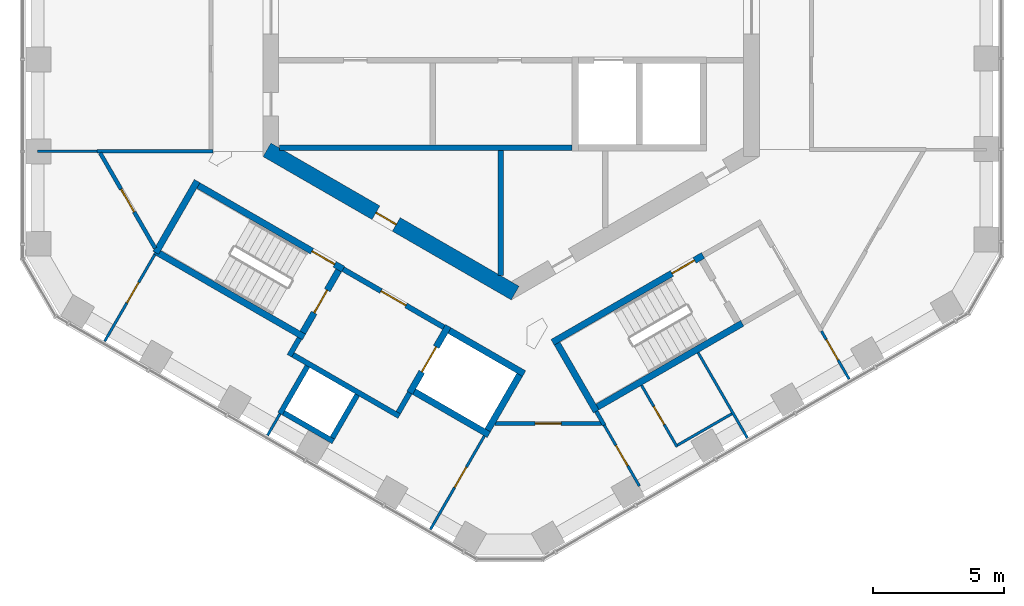
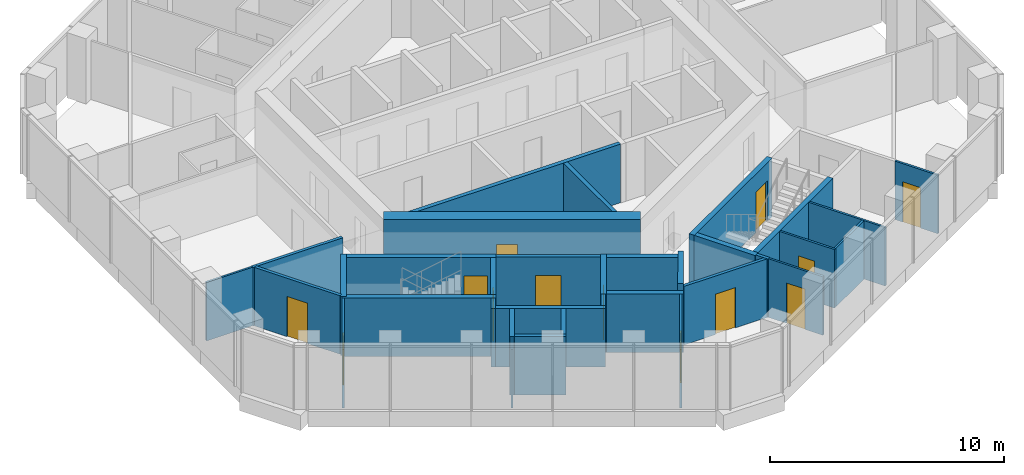
# One storey, part 14 of 19: 34 walls, 13 doors, 13 openings.
"""IFC4 building model written with IfcOpenShell, lengths in metres."""

from ifc_helpers import new_model, si_unit, direction, frame, frame_2d, origin, place, context, subcontext, project, spatial, rectangle, extrude, material, layer, layer_set, type_object, element, fill, save


model = new_model("IFC4")

# Units and contexts
model_context = context("Model", 3, precision=1e-05, world=origin(), true_north=direction((0.0, 1.0)))
body_context = subcontext(model_context, "Body", "Model", "MODEL_VIEW")
ifc_project = project(units=[si_unit("LENGTHUNIT", "METRE"), si_unit("AREAUNIT", "SQUARE_METRE"), si_unit("VOLUMEUNIT", "CUBIC_METRE"), si_unit("PLANEANGLEUNIT", "RADIAN"), si_unit("MASSUNIT", "GRAM", prefix="KILO")], contexts=[model_context])

# Site, building, storey
site_placement = place(None, origin())
site = spatial("IfcSite", under=ifc_project, at=site_placement, CompositionType="ELEMENT")
building_placement = place(site_placement, origin())
building = spatial("IfcBuilding", under=site, at=building_placement, Name="Ayvan Gate Tower", CompositionType="ELEMENT")
storey_placement = place(building_placement, frame((0.0, 0.0, 156.10009765625)))
storey = spatial("IfcBuildingStorey", under=building, at=storey_placement, Name="L41", CompositionType="ELEMENT", Elevation=156.10009765625)

# Wall, opening, door
ifc_material_1 = material(Name="Concrete C60/75", Category="concrete")
ifc_layer_1 = layer(ifc_material_1, 0.60009765625)
ifc_layer_set_1 = layer_set([ifc_layer_1], Name="Concrete C60/75")
wall_type_1 = type_object("IfcWallType", Name="Core wall 600 C60/75", PredefinedType="SHEAR", material=ifc_layer_set_1)
wall_1_placement = place(storey_placement, frame((-9.35009765625, -5.22509765625, 0.0), z_axis=(0.0, 0.0, 1.0), x_axis=(0.866023993627, -0.500002442456, 0.0)))
wall_1 = element("IfcWall", 1, at=wall_1_placement, inside=storey, type_object=wall_type_1, Name="CORE-L41-4", PredefinedType="SHEAR", context=body_context, shape_type="SweptSolid", body=[
    extrude(rectangle(XDim=10.9697265625, YDim=0.60009765625, at=frame_2d((5.48486328125, 0.0))), origin(), (0.0, 0.0, 1.0), 3.39990234375),
])
opening_1_placement = place(wall_1_placement, frame((4.81591796875, 0.0, 0.0)))
opening_1 = element("IfcOpeningElement", 2, at=opening_1_placement, cuts=wall_1, Name="Opening L41-D48", PredefinedType="OPENING", context=body_context, shape_type="SweptSolid", body=[
    extrude(rectangle(XDim=0.89990234375, YDim=2.10009765625, at=frame_2d((0.449951171875, 1.050048828125))), frame((0.0, 0.31005859375, 0.0), z_axis=(0.0, -1.0, 0.0), x_axis=(1.0, 0.0, 0.0)), (0.0, 0.0, 1.0), 0.6201171875),
])
ifc_material_2 = material(Name="Timber door leaf", Category="wood")
door_type_1 = type_object("IfcDoorType", Name="DT-900", OperationType="NOTDEFINED", PredefinedType="DOOR", material=ifc_material_2)
door_1_placement = place(opening_1_placement, origin())
door_1 = element("IfcDoor", 3, at=door_1_placement, inside=storey, type_object=door_type_1, Name="CD-L41-48", OperationType="SINGLE_SWING_LEFT", OverallHeight=2.10009765625, OverallWidth=0.89990234375, PredefinedType="DOOR", context=body_context, shape_type="SweptSolid", body=[
    extrude(rectangle(XDim=0.89990234375, YDim=2.10009765625, at=frame_2d((0.449951171875, 1.050048828125))), frame((0.0, 0.02490234375, 0.0), z_axis=(0.0, -1.0, 0.0), x_axis=(1.0, 0.0, 0.0)), (0.0, 0.0, 1.0), 0.050048828125),
])
fill(opening_1, door_1)

# Wall
ifc_material_3 = material(Name="Plasterboard on steel stud", Category="steel")
ifc_layer_2 = layer(ifc_material_3, 0.14990234375)
ifc_layer_set_2 = layer_set([ifc_layer_2], Name="Plasterboard on steel stud")
wall_type_2 = type_object("IfcWallType", Name="WT-CORR-150", PredefinedType="PARTITIONING", material=ifc_layer_set_2)
wall_2_placement = place(storey_placement, frame((-15.849365234375, -5.28125, 0.0), z_axis=(0.0, 0.0, 1.0), x_axis=(1.0, 0.0, 0.0)))
element("IfcWall", 4, at=wall_2_placement, inside=storey, type_object=wall_type_2, Name="IW-L41-000", PredefinedType="PARTITIONING", context=body_context, shape_type="SweptSolid", body=[
    extrude(rectangle(XDim=4.424560546875, YDim=0.14990234375, at=frame_2d((2.21240234375, 0.0))), origin(), (0.0, 0.0, 1.0), 3.0498046875),
])

# Wall, opening, door
wall_3_placement = place(storey_placement, frame((-13.631103515625, -8.993408203125, 0.0), z_axis=(0.0, 0.0, 1.0), x_axis=(-0.499998449073, 0.866026299211, 0.0)))
wall_3 = element("IfcWall", 5, at=wall_3_placement, inside=storey, type_object=wall_type_2, Name="IW-L41-009", PredefinedType="PARTITIONING", context=body_context, shape_type="SweptSolid", body=[
    extrude(rectangle(XDim=4.21142578125, YDim=0.14990234375, at=frame_2d((2.105712890625, 0.0))), origin(), (0.0, 0.0, 1.0), 3.0498046875),
])
opening_2_placement = place(wall_3_placement, frame((1.605712890625, 0.0, 0.0)))
opening_2 = element("IfcOpeningElement", 6, at=opening_2_placement, cuts=wall_3, Name="Opening L41-D31", PredefinedType="OPENING", context=body_context, shape_type="SweptSolid", body=[
    extrude(rectangle(XDim=1.0, YDim=2.10009765625, at=frame_2d((0.5, 1.050048828125))), frame((0.0, 0.0849609375, 0.0), z_axis=(0.0, -1.0, 0.0), x_axis=(1.0, 0.0, 0.0)), (0.0, 0.0, 1.0), 0.169921875),
])
door_type_2 = type_object("IfcDoorType", Name="DT-1000", OperationType="NOTDEFINED", PredefinedType="DOOR", material=ifc_material_2)
door_2_placement = place(opening_2_placement, origin())
door_2 = element("IfcDoor", 7, at=door_2_placement, inside=storey, type_object=door_type_2, Name="ID-L41-031", OperationType="SINGLE_SWING_RIGHT", OverallHeight=2.10009765625, OverallWidth=1.0, PredefinedType="DOOR", context=body_context, shape_type="SweptSolid", body=[
    extrude(rectangle(XDim=1.0, YDim=2.10009765625, at=frame_2d((0.5, 1.050048828125))), frame((0.0, 0.02490234375, 0.0), z_axis=(0.0, -1.0, 0.0), x_axis=(1.0, 0.0, 0.0)), (0.0, 0.0, 1.0), 0.050048828125),
])
fill(opening_2, door_2)

# Wall
wall_4_placement = place(storey_placement, frame((3.255615234375, -15.23876953125, 0.0), z_axis=(0.0, 0.0, 1.0), x_axis=(0.499930512259, -0.866065518833, 0.0)))
element("IfcWall", 8, at=wall_4_placement, inside=storey, type_object=wall_type_2, Name="IW-L41-064", PredefinedType="PARTITIONING", context=body_context, shape_type="SweptSolid", body=[
    extrude(rectangle(XDim=0.609375, YDim=0.14990234375, at=frame_2d((0.3046875, 0.0))), origin(), (0.0, 0.0, 1.0), 3.0498046875),
])

# Wall, opening, door
wall_5_placement = place(storey_placement, frame((3.44775390625, -15.70166015625, 0.0), z_axis=(0.0, 0.0, 1.0), x_axis=(-1.0, 0.0, 0.0)))
wall_5 = element("IfcWall", 9, at=wall_5_placement, inside=storey, type_object=wall_type_2, Name="IW-L41-066", PredefinedType="PARTITIONING", context=body_context, shape_type="SweptSolid", body=[
    extrude(rectangle(XDim=4.07421875, YDim=0.14990234375, at=frame_2d((2.037109375, 0.0))), origin(), (0.0, 0.0, 1.0), 3.0498046875),
])
opening_3_placement = place(wall_5_placement, frame((1.537109375, 0.0, 0.0)))
opening_3 = element("IfcOpeningElement", 10, at=opening_3_placement, cuts=wall_5, Name="Opening L41-D33", PredefinedType="OPENING", context=body_context, shape_type="SweptSolid", body=[
    extrude(rectangle(XDim=1.0, YDim=2.10009765625, at=frame_2d((0.5, 1.050048828125))), frame((0.0, 0.0849609375, 0.0), z_axis=(0.0, -1.0, 0.0), x_axis=(1.0, 0.0, 0.0)), (0.0, 0.0, 1.0), 0.169921875),
])
door_3_placement = place(opening_3_placement, origin())
door_3 = element("IfcDoor", 11, at=door_3_placement, inside=storey, type_object=door_type_2, Name="ID-L41-033", OperationType="SINGLE_SWING_RIGHT", OverallHeight=2.10009765625, OverallWidth=1.0, PredefinedType="DOOR", context=body_context, shape_type="SweptSolid", body=[
    extrude(rectangle(XDim=1.0, YDim=2.10009765625, at=frame_2d((0.5, 1.050048828125))), frame((0.0, 0.02490234375, 0.0), z_axis=(0.0, -1.0, 0.0), x_axis=(1.0, 0.0, 0.0)), (0.0, 0.0, 1.0), 0.050048828125),
])
fill(opening_3, door_3)

# Wall
ifc_layer_3 = layer(ifc_material_3, 0.10009765625)
ifc_layer_set_3 = layer_set([ifc_layer_3], Name="Plasterboard on steel stud")
wall_type_3 = type_object("IfcWallType", Name="WT-PART-100", PredefinedType="PARTITIONING", material=ifc_layer_set_3)
wall_6_placement = place(storey_placement, frame((-15.84912109375, -5.28125, 0.0), z_axis=(0.0, 0.0, 1.0), x_axis=(-1.0, 0.0, 0.0)))
element("IfcWall", 12, at=wall_6_placement, inside=storey, type_object=wall_type_3, Name="IW-L41-003", PredefinedType="PARTITIONING", context=body_context, shape_type="SweptSolid", body=[
    extrude(rectangle(XDim=2.278076171875, YDim=0.10009765625, at=frame_2d((1.13916015625, 0.0))), origin(), (0.0, 0.0, 1.0), 3.0498046875),
])

# Wall, opening, door
wall_7_placement = place(storey_placement, frame((-13.647705078125, -9.23876953125, 0.0), z_axis=(0.0, 0.0, 1.0), x_axis=(-0.500044099915, -0.86599994119, 0.0)))
wall_7 = element("IfcWall", 13, at=wall_7_placement, inside=storey, type_object=wall_type_3, Name="IW-L41-007", PredefinedType="PARTITIONING", context=body_context, shape_type="SweptSolid", body=[
    extrude(rectangle(XDim=3.832763671875, YDim=0.10009765625, at=frame_2d((1.91650390625, 0.0))), origin(), (0.0, 0.0, 1.0), 3.0498046875),
])
opening_4_placement = place(wall_7_placement, frame((1.230712890625, 0.0, 0.0)))
opening_4 = element("IfcOpeningElement", 14, at=opening_4_placement, cuts=wall_7, Name="Opening L41-D32", PredefinedType="OPENING", context=body_context, shape_type="SweptSolid", body=[
    extrude(rectangle(XDim=0.89990234375, YDim=2.10009765625, at=frame_2d((0.449951171875, 1.050048828125))), frame((0.0, 0.06005859375, 0.0), z_axis=(0.0, -1.0, 0.0), x_axis=(1.0, 0.0, 0.0)), (0.0, 0.0, 1.0), 0.1201171875),
])
door_4_placement = place(opening_4_placement, origin())
door_4 = element("IfcDoor", 15, at=door_4_placement, inside=storey, type_object=door_type_1, Name="ID-L41-032", OperationType="SINGLE_SWING_LEFT", OverallHeight=2.10009765625, OverallWidth=0.89990234375, PredefinedType="DOOR", context=body_context, shape_type="SweptSolid", body=[
    extrude(rectangle(XDim=0.89990234375, YDim=2.10009765625, at=frame_2d((0.449951171875, 1.050048828125))), frame((0.0, 0.02490234375, 0.0), z_axis=(0.0, -1.0, 0.0), x_axis=(1.0, 0.0, 0.0)), (0.0, 0.0, 1.0), 0.050048828125),
])
fill(opening_4, door_4)

# Wall
wall_8_placement = place(storey_placement, frame((-9.328857421875, -16.157958984375, 0.0), z_axis=(0.0, 0.0, 1.0), x_axis=(0.499950501706, 0.866053979752, 0.0)))
element("IfcWall", 16, at=wall_8_placement, inside=storey, type_object=wall_type_3, Name="IW-L41-024", PredefinedType="PARTITIONING", context=body_context, shape_type="SweptSolid", body=[
    extrude(rectangle(XDim=0.95751953125, YDim=0.10009765625, at=frame_2d((0.478759765625, 0.0))), origin(), (0.0, 0.0, 1.0), 3.0498046875),
])

# Wall, opening, door
wall_9_placement = place(storey_placement, frame((-3.093505859375, -19.7578125, 0.0), z_axis=(0.0, 0.0, 1.0), x_axis=(0.500027577057, 0.866009481578, 0.0)))
wall_9 = element("IfcWall", 17, at=wall_9_placement, inside=storey, type_object=wall_type_3, Name="IW-L41-043", PredefinedType="PARTITIONING", context=body_context, shape_type="SweptSolid", body=[
    extrude(rectangle(XDim=4.132568359375, YDim=0.10009765625, at=frame_2d((2.06640625, 0.0))), origin(), (0.0, 0.0, 1.0), 3.0498046875),
])
opening_5_placement = place(wall_9_placement, frame((1.851806640625, 0.0, 0.0)))
opening_5 = element("IfcOpeningElement", 18, at=opening_5_placement, cuts=wall_9, Name="Opening L41-D34", PredefinedType="OPENING", context=body_context, shape_type="SweptSolid", body=[
    extrude(rectangle(XDim=0.89990234375, YDim=2.10009765625, at=frame_2d((0.449951171875, 1.050048828125))), frame((0.0, 0.06005859375, 0.0), z_axis=(0.0, -1.0, 0.0), x_axis=(1.0, 0.0, 0.0)), (0.0, 0.0, 1.0), 0.1201171875),
])
door_5_placement = place(opening_5_placement, origin())
door_5 = element("IfcDoor", 19, at=door_5_placement, inside=storey, type_object=door_type_1, Name="ID-L41-034", OperationType="SINGLE_SWING_LEFT", OverallHeight=2.10009765625, OverallWidth=0.89990234375, PredefinedType="DOOR", context=body_context, shape_type="SweptSolid", body=[
    extrude(rectangle(XDim=0.89990234375, YDim=2.10009765625, at=frame_2d((0.449951171875, 1.050048828125))), frame((0.0, 0.02490234375, 0.0), z_axis=(0.0, -1.0, 0.0), x_axis=(1.0, 0.0, 0.0)), (0.0, 0.0, 1.0), 0.050048828125),
])
fill(opening_5, door_5)

wall_10_placement = place(storey_placement, frame((3.560302734375, -15.7666015625, 0.0), z_axis=(0.0, 0.0, 1.0), x_axis=(0.500010215181, -0.866019505967, 0.0)))
wall_10 = element("IfcWall", 20, at=wall_10_placement, inside=storey, type_object=wall_type_3, Name="IW-L41-067", PredefinedType="PARTITIONING", context=body_context, shape_type="SweptSolid", body=[
    extrude(rectangle(XDim=2.69287109375, YDim=0.10009765625, at=frame_2d((1.346435546875, 0.0))), origin(), (0.0, 0.0, 1.0), 3.0498046875),
])
opening_6_placement = place(wall_10_placement, frame((0.896484375, 0.0, 0.0)))
opening_6 = element("IfcOpeningElement", 21, at=opening_6_placement, cuts=wall_10, Name="Opening L41-D35", PredefinedType="OPENING", context=body_context, shape_type="SweptSolid", body=[
    extrude(rectangle(XDim=0.89990234375, YDim=2.10009765625, at=frame_2d((0.449951171875, 1.050048828125))), frame((0.0, 0.06005859375, 0.0), z_axis=(0.0, -1.0, 0.0), x_axis=(1.0, 0.0, 0.0)), (0.0, 0.0, 1.0), 0.1201171875),
])
door_6_placement = place(opening_6_placement, origin())
door_6 = element("IfcDoor", 22, at=door_6_placement, inside=storey, type_object=door_type_1, Name="ID-L41-035", OperationType="SINGLE_SWING_RIGHT", OverallHeight=2.10009765625, OverallWidth=0.89990234375, PredefinedType="DOOR", context=body_context, shape_type="SweptSolid", body=[
    extrude(rectangle(XDim=0.89990234375, YDim=2.10009765625, at=frame_2d((0.449951171875, 1.050048828125))), frame((0.0, 0.02490234375, 0.0), z_axis=(0.0, -1.0, 0.0), x_axis=(1.0, 0.0, 0.0)), (0.0, 0.0, 1.0), 0.050048828125),
])
fill(opening_6, door_6)

wall_11_placement = place(storey_placement, frame((4.987548828125, -14.23876953125, 0.0), z_axis=(0.0, 0.0, 1.0), x_axis=(0.500022328685, -0.866012511928, 0.0)))
wall_11 = element("IfcWall", 23, at=wall_11_placement, inside=storey, type_object=wall_type_3, Name="IW-L41-076", PredefinedType="PARTITIONING", context=body_context, shape_type="SweptSolid", body=[
    extrude(rectangle(XDim=2.72509765625, YDim=0.10009765625, at=frame_2d((1.362548828125, 0.0))), origin(), (0.0, 0.0, 1.0), 3.0498046875),
])
opening_7_placement = place(wall_11_placement, frame((0.9375, 0.0, 0.0)))
opening_7 = element("IfcOpeningElement", 24, at=opening_7_placement, cuts=wall_11, Name="Opening L41-D36", PredefinedType="OPENING", context=body_context, shape_type="SweptSolid", body=[
    extrude(rectangle(XDim=0.800048828125, YDim=2.10009765625, at=frame_2d((0.39990234375, 1.050048828125))), frame((0.0, 0.06005859375, 0.0), z_axis=(0.0, -1.0, 0.0), x_axis=(1.0, 0.0, 0.0)), (0.0, 0.0, 1.0), 0.1201171875),
])
door_type_3 = type_object("IfcDoorType", Name="DT-800", OperationType="NOTDEFINED", PredefinedType="DOOR", material=ifc_material_2)
door_7_placement = place(opening_7_placement, origin())
door_7 = element("IfcDoor", 25, at=door_7_placement, inside=storey, type_object=door_type_3, Name="ID-L41-036", OperationType="SINGLE_SWING_LEFT", OverallHeight=2.10009765625, OverallWidth=0.800048828125, PredefinedType="DOOR", context=body_context, shape_type="SweptSolid", body=[
    extrude(rectangle(XDim=0.800048828125, YDim=2.10009765625, at=frame_2d((0.39990234375, 1.050048828125))), frame((0.0, 0.02490234375, 0.0), z_axis=(0.0, -1.0, 0.0), x_axis=(1.0, 0.0, 0.0)), (0.0, 0.0, 1.0), 0.050048828125),
])
fill(opening_7, door_7)

# Walls
wall_12_placement = place(storey_placement, frame((6.368408203125, -16.530517578125, 0.0), z_axis=(0.0, 0.0, 1.0), x_axis=(0.866006032174, 0.500033551112, 0.0)))
element("IfcWall", 26, at=wall_12_placement, inside=storey, type_object=wall_type_3, Name="IW-L41-078", PredefinedType="PARTITIONING", context=body_context, shape_type="SweptSolid", body=[
    extrude(rectangle(XDim=2.400146484375, YDim=0.10009765625, at=frame_2d((1.2001953125, 0.0))), origin(), (0.0, 0.0, 1.0), 3.0498046875),
])
wall_13_placement = place(storey_placement, frame((7.152587890625, -12.98876953125, 0.0), z_axis=(0.0, 0.0, 1.0), x_axis=(0.500008086624, -0.86602073492, 0.0)))
element("IfcWall", 27, at=wall_13_placement, inside=storey, type_object=wall_type_3, Name="IW-L41-081", PredefinedType="PARTITIONING", context=body_context, shape_type="SweptSolid", body=[
    extrude(rectangle(XDim=3.7734375, YDim=0.10009765625, at=frame_2d((1.88671875, 0.0))), origin(), (0.0, 0.0, 1.0), 3.0498046875),
])

# Wall, opening, door
wall_14_placement = place(storey_placement, frame((12.936279296875, -14.006591796875, 0.0), z_axis=(0.0, 0.0, 1.0), x_axis=(-0.499957859296, 0.866049732364, 0.0)))
wall_14 = element("IfcWall", 28, at=wall_14_placement, inside=storey, type_object=wall_type_3, Name="IW-L41-098", PredefinedType="PARTITIONING", context=body_context, shape_type="SweptSolid", body=[
    extrude(rectangle(XDim=2.124755859375, YDim=0.10009765625, at=frame_2d((1.0625, 0.0))), origin(), (0.0, 0.0, 1.0), 3.0498046875),
])
opening_8_placement = place(wall_14_placement, frame((0.847900390625, 0.0, 0.0)))
opening_8 = element("IfcOpeningElement", 29, at=opening_8_placement, cuts=wall_14, Name="Opening L41-D38", PredefinedType="OPENING", context=body_context, shape_type="SweptSolid", body=[
    extrude(rectangle(XDim=0.89990234375, YDim=2.10009765625, at=frame_2d((0.449951171875, 1.050048828125))), frame((0.0, 0.06005859375, 0.0), z_axis=(0.0, -1.0, 0.0), x_axis=(1.0, 0.0, 0.0)), (0.0, 0.0, 1.0), 0.1201171875),
])
door_8_placement = place(opening_8_placement, origin())
door_8 = element("IfcDoor", 30, at=door_8_placement, inside=storey, type_object=door_type_1, Name="ID-L41-038", OperationType="SINGLE_SWING_LEFT", OverallHeight=2.10009765625, OverallWidth=0.89990234375, PredefinedType="DOOR", context=body_context, shape_type="SweptSolid", body=[
    extrude(rectangle(XDim=0.89990234375, YDim=2.10009765625, at=frame_2d((0.449951171875, 1.050048828125))), frame((0.0, 0.02490234375, 0.0), z_axis=(0.0, -1.0, 0.0), x_axis=(1.0, 0.0, 0.0)), (0.0, 0.0, 1.0), 0.050048828125),
])
fill(opening_8, door_8)

# Walls
ifc_layer_4 = layer(ifc_material_3, 0.199951171875)
ifc_layer_set_4 = layer_set([ifc_layer_4], Name="Plasterboard on steel stud")
wall_type_4 = type_object("IfcWallType", Name="WT-PLUMB-200", PredefinedType="PLUMBINGWALL", material=ifc_layer_set_4)
wall_15_placement = place(storey_placement, frame((-8.85009765625, -15.32861328125, 0.0), z_axis=(0.0, 0.0, 1.0), x_axis=(0.500027713859, 0.866009402589, 0.0)))
element("IfcWall", 31, at=wall_15_placement, inside=storey, type_object=wall_type_4, Name="IW-L41-019", PredefinedType="PLUMBINGWALL", context=body_context, shape_type="SweptSolid", body=[
    extrude(rectangle(XDim=2.10009765625, YDim=0.199951171875, at=frame_2d((1.050048828125, 0.0))), origin(), (0.0, 0.0, 1.0), 3.0498046875),
])
wall_16_placement = place(storey_placement, frame((-6.80810546875, -16.39208984375, 0.0), z_axis=(0.0, 0.0, 1.0), x_axis=(-0.866008176907, 0.50002983664, 0.0)))
element("IfcWall", 32, at=wall_16_placement, inside=storey, type_object=wall_type_4, Name="IW-L41-029", PredefinedType="PLUMBINGWALL", context=body_context, shape_type="SweptSolid", body=[
    extrude(rectangle(XDim=2.199951171875, YDim=0.199951171875, at=frame_2d((1.10009765625, 0.0))), origin(), (0.0, 0.0, 1.0), 3.0498046875),
])
wall_17_placement = place(storey_placement, frame((-5.894775390625, -14.610107421875, 0.0), z_axis=(0.0, 0.0, 1.0), x_axis=(-0.500022797313, -0.86601224135, 0.0)))
element("IfcWall", 33, at=wall_17_placement, inside=storey, type_object=wall_type_4, Name="IW-L41-033", PredefinedType="PLUMBINGWALL", context=body_context, shape_type="SweptSolid", body=[
    extrude(rectangle(XDim=1.89990234375, YDim=0.199951171875, at=frame_2d((0.949951171875, 0.0))), origin(), (0.0, 0.0, 1.0), 3.0498046875),
])
ifc_layer_5 = layer(ifc_material_3, 0.199951171875)
ifc_layer_set_5 = layer_set([ifc_layer_5], Name="Plasterboard on steel stud")
wall_type_5 = type_object("IfcWallType", Name="WT-RATED-200", PredefinedType="PARTITIONING", material=ifc_layer_set_5)
wall_18_placement = place(storey_placement, frame((-8.8798828125, -5.14990234375, 0.0), z_axis=(0.0, 0.0, 1.0), x_axis=(1.0, 0.0, 0.0)))
element("IfcWall", 34, at=wall_18_placement, inside=storey, type_object=wall_type_5, Name="IW-L41-018", PredefinedType="PARTITIONING", context=body_context, shape_type="SweptSolid", body=[
    extrude(rectangle(XDim=11.205078125, YDim=0.199951171875, at=frame_2d((5.6025390625, 0.0))), origin(), (0.0, 0.0, 1.0), 3.0498046875),
])
wall_19_placement = place(storey_placement, frame((-8.492919921875, -13.110107421875, 0.0), z_axis=(0.0, 0.0, 1.0), x_axis=(0.500067724834, 0.865986299303, 0.0)))
element("IfcWall", 35, at=wall_19_placement, inside=storey, type_object=wall_type_5, Name="IW-L41-020", PredefinedType="PARTITIONING", context=body_context, shape_type="SweptSolid", body=[
    extrude(rectangle(XDim=0.775390625, YDim=0.199951171875, at=frame_2d((0.3876953125, 0.0))), origin(), (0.0, 0.0, 1.0), 3.0498046875),
])
wall_20_placement = place(storey_placement, frame((-8.356201171875, -13.073486328125, 0.0), z_axis=(0.0, 0.0, 1.0), x_axis=(0.866038532462, -0.499977259774, 0.0)))
element("IfcWall", 36, at=wall_20_placement, inside=storey, type_object=wall_type_5, Name="IW-L41-025", PredefinedType="PARTITIONING", context=body_context, shape_type="SweptSolid", body=[
    extrude(rectangle(XDim=4.699951171875, YDim=0.199951171875, at=frame_2d((2.35009765625, 0.0))), origin(), (0.0, 0.0, 1.0), 3.0498046875),
])

# Wall, opening, door
wall_21_placement = place(storey_placement, frame((-6.4345703125, -9.794921875, 0.0), z_axis=(0.0, 0.0, 1.0), x_axis=(0.866012907634, -0.500021643343, 0.0)))
wall_21 = element("IfcWall", 37, at=wall_21_placement, inside=storey, type_object=wall_type_5, Name="IW-L41-032", PredefinedType="PARTITIONING", context=body_context, shape_type="SweptSolid", body=[
    extrude(rectangle(XDim=4.449951171875, YDim=0.199951171875, at=frame_2d((2.22509765625, 0.0))), origin(), (0.0, 0.0, 1.0), 3.0498046875),
])
opening_9_placement = place(wall_21_placement, frame((1.675048828125, 0.0, 0.0)))
opening_9 = element("IfcOpeningElement", 38, at=opening_9_placement, cuts=wall_21, Name="Opening L41-D16", PredefinedType="OPENING", context=body_context, shape_type="SweptSolid", body=[
    extrude(rectangle(XDim=1.10009765625, YDim=2.10009765625, at=frame_2d((0.550048828125, 1.050048828125))), frame((0.0, 0.10986328125, 0.0), z_axis=(0.0, -1.0, 0.0), x_axis=(1.0, 0.0, 0.0)), (0.0, 0.0, 1.0), 0.219970703125),
])
door_type_4 = type_object("IfcDoorType", Name="DT-1100", OperationType="NOTDEFINED", PredefinedType="DOOR", material=ifc_material_2)
door_9_placement = place(opening_9_placement, origin())
door_9 = element("IfcDoor", 39, at=door_9_placement, inside=storey, type_object=door_type_4, Name="ID-L41-016", OperationType="SINGLE_SWING_LEFT", OverallHeight=2.10009765625, OverallWidth=1.10009765625, PredefinedType="DOOR", context=body_context, shape_type="SweptSolid", body=[
    extrude(rectangle(XDim=1.10009765625, YDim=2.10009765625, at=frame_2d((0.550048828125, 1.050048828125))), frame((0.0, 0.02490234375, 0.0), z_axis=(0.0, -1.0, 0.0), x_axis=(1.0, 0.0, 0.0)), (0.0, 0.0, 1.0), 0.050048828125),
])
fill(opening_9, door_9)

# Walls
wall_22_placement = place(storey_placement, frame((-3.885009765625, -14.52880859375, 0.0), z_axis=(0.0, 0.0, 1.0), x_axis=(-0.499859285417, -0.866106630146, 0.0)))
element("IfcWall", 40, at=wall_22_placement, inside=storey, type_object=wall_type_5, Name="IW-L41-037", PredefinedType="PARTITIONING", context=body_context, shape_type="SweptSolid", body=[
    extrude(rectangle(XDim=0.875244140625, YDim=0.199951171875, at=frame_2d((0.4375, 0.0))), origin(), (0.0, 0.0, 1.0), 3.0498046875),
])
wall_23_placement = place(storey_placement, frame((-0.39990234375, -5.25, 0.0), z_axis=(0.0, 0.0, 1.0), x_axis=(0.0, -1.0, 0.0)))
element("IfcWall", 41, at=wall_23_placement, inside=storey, type_object=wall_type_5, Name="IW-L41-052", PredefinedType="PARTITIONING", context=body_context, shape_type="SweptSolid", body=[
    extrude(rectangle(XDim=4.7958984375, YDim=0.199951171875, at=frame_2d((2.39794921875, 0.0))), origin(), (0.0, 0.0, 1.0), 3.0498046875),
])
ifc_material_4 = material(Name="Concrete C50/60", Category="concrete")
ifc_layer_6 = layer(ifc_material_4, 0.25)
ifc_layer_set_6 = layer_set([ifc_layer_6], Name="Concrete C50/60")
wall_type_6 = type_object("IfcWallType", Name="WT-RC-250", PredefinedType="SHEAR", material=ifc_layer_set_6)
wall_24_placement = place(storey_placement, frame((-13.606201171875, -9.166748046875, 0.0), z_axis=(0.0, 0.0, 1.0), x_axis=(0.499978282948, 0.866037941767, 0.0)))
element("IfcWall", 42, at=wall_24_placement, inside=storey, type_object=wall_type_6, Name="IW-L41-008", PredefinedType="SHEAR", context=body_context, shape_type="SweptSolid", body=[
    extrude(rectangle(XDim=3.166748046875, YDim=0.25, at=frame_2d((1.58349609375, 0.0))), origin(), (0.0, 0.0, 1.0), 3.0498046875),
])

# Wall, opening, door
wall_25_placement = place(storey_placement, frame((-11.97705078125, -6.594970703125, 0.0), z_axis=(0.0, 0.0, 1.0), x_axis=(0.866025499775, -0.499999833739, 0.0)))
wall_25 = element("IfcWall", 43, at=wall_25_placement, inside=storey, type_object=wall_type_6, Name="IW-L41-011", PredefinedType="SHEAR", context=body_context, shape_type="SweptSolid", body=[
    extrude(rectangle(XDim=6.39990234375, YDim=0.25, at=frame_2d((3.199951171875, 0.0))), origin(), (0.0, 0.0, 1.0), 3.0498046875),
])
opening_10_placement = place(wall_25_placement, frame((5.02490234375, 0.0, 0.0)))
opening_10 = element("IfcOpeningElement", 44, at=opening_10_placement, cuts=wall_25, Name="Opening L41-D14", PredefinedType="OPENING", context=body_context, shape_type="SweptSolid", body=[
    extrude(rectangle(XDim=1.0, YDim=2.10009765625, at=frame_2d((0.5, 1.050048828125))), frame((0.0, 0.135009765625, 0.0), z_axis=(0.0, -1.0, 0.0), x_axis=(1.0, 0.0, 0.0)), (0.0, 0.0, 1.0), 0.27001953125),
])
door_10_placement = place(opening_10_placement, origin())
door_10 = element("IfcDoor", 45, at=door_10_placement, inside=storey, type_object=door_type_2, Name="ID-L41-014", OperationType="SINGLE_SWING_LEFT", OverallHeight=2.10009765625, OverallWidth=1.0, PredefinedType="DOOR", context=body_context, shape_type="SweptSolid", body=[
    extrude(rectangle(XDim=1.0, YDim=2.10009765625, at=frame_2d((0.5, 1.050048828125))), frame((0.0, 0.02490234375, 0.0), z_axis=(0.0, -1.0, 0.0), x_axis=(1.0, 0.0, 0.0)), (0.0, 0.0, 1.0), 0.050048828125),
])
fill(opening_10, door_10)

# Wall
wall_26_placement = place(storey_placement, frame((-7.9345703125, -12.39306640625, 0.0), z_axis=(0.0, 0.0, 1.0), x_axis=(-0.866034091436, 0.499984952244, 0.0)))
element("IfcWall", 46, at=wall_26_placement, inside=storey, type_object=wall_type_6, Name="IW-L41-023", PredefinedType="SHEAR", context=body_context, shape_type="SweptSolid", body=[
    extrude(rectangle(XDim=6.574951171875, YDim=0.25, at=frame_2d((3.28759765625, 0.0))), origin(), (0.0, 0.0, 1.0), 3.0498046875),
])

# Wall, opening, door
wall_27_placement = place(storey_placement, frame((-6.605224609375, -9.8408203125, 0.0), z_axis=(0.0, 0.0, 1.0), x_axis=(-0.499996545922, -0.866027397988, 0.0)))
wall_27 = element("IfcWall", 47, at=wall_27_placement, inside=storey, type_object=wall_type_6, Name="IW-L41-031", PredefinedType="SHEAR", context=body_context, shape_type="SweptSolid", body=[
    extrude(rectangle(XDim=2.75, YDim=0.25, at=frame_2d((1.375, 0.0))), origin(), (0.0, 0.0, 1.0), 3.0498046875),
])
opening_11_placement = place(wall_27_placement, frame((0.875, 0.0, 0.0)))
opening_11 = element("IfcOpeningElement", 48, at=opening_11_placement, cuts=wall_27, Name="Opening L41-D15", PredefinedType="OPENING", context=body_context, shape_type="SweptSolid", body=[
    extrude(rectangle(XDim=1.0, YDim=2.10009765625, at=frame_2d((0.5, 1.050048828125))), frame((0.0, 0.135009765625, 0.0), z_axis=(0.0, -1.0, 0.0), x_axis=(1.0, 0.0, 0.0)), (0.0, 0.0, 1.0), 0.27001953125),
])
door_11_placement = place(opening_11_placement, origin())
door_11 = element("IfcDoor", 49, at=door_11_placement, inside=storey, type_object=door_type_2, Name="ID-L41-015", OperationType="SINGLE_SWING_RIGHT", OverallHeight=2.10009765625, OverallWidth=1.0, PredefinedType="DOOR", context=body_context, shape_type="SweptSolid", body=[
    extrude(rectangle(XDim=1.0, YDim=2.10009765625, at=frame_2d((0.5, 1.050048828125))), frame((0.0, 0.02490234375, 0.0), z_axis=(0.0, -1.0, 0.0), x_axis=(1.0, 0.0, 0.0)), (0.0, 0.0, 1.0), 0.050048828125),
])
fill(opening_11, door_11)

wall_28_placement = place(storey_placement, frame((-2.409912109375, -11.97412109375, 0.0), z_axis=(0.0, 0.0, 1.0), x_axis=(-0.500001826776, -0.866024349092, 0.0)))
wall_28 = element("IfcWall", 50, at=wall_28_placement, inside=storey, type_object=wall_type_6, Name="IW-L41-044", PredefinedType="SHEAR", context=body_context, shape_type="SweptSolid", body=[
    extrude(rectangle(XDim=2.9501953125, YDim=0.25, at=frame_2d((1.47509765625, 0.0))), origin(), (0.0, 0.0, 1.0), 3.0498046875),
])
opening_12_placement = place(wall_28_placement, frame((0.925048828125, 0.0, 0.0)))
opening_12 = element("IfcOpeningElement", 51, at=opening_12_placement, cuts=wall_28, Name="Opening L41-LD-FF2", PredefinedType="OPENING", context=body_context, shape_type="SweptSolid", body=[
    extrude(rectangle(XDim=1.10009765625, YDim=2.10009765625, at=frame_2d((0.550048828125, 1.050048828125))), frame((0.0, 0.135009765625, 0.0), z_axis=(0.0, -1.0, 0.0), x_axis=(1.0, 0.0, 0.0)), (0.0, 0.0, 1.0), 0.27001953125),
])
ifc_material_5 = material(Name="Stainless steel landing door", Category="steel")
door_type_5 = type_object("IfcDoorType", Name="DT-LANDING-1100", OperationType="SLIDING_TO_LEFT", PredefinedType="DOOR", material=ifc_material_5)
door_12_placement = place(opening_12_placement, origin())
door_12 = element("IfcDoor", 52, at=door_12_placement, inside=storey, type_object=door_type_5, Name="ID-L41-017", OperationType="SLIDING_TO_LEFT", OverallHeight=2.10009765625, OverallWidth=1.10009765625, PredefinedType="DOOR", context=body_context, shape_type="SweptSolid", body=[
    extrude(rectangle(XDim=1.10009765625, YDim=2.10009765625, at=frame_2d((0.550048828125, 1.050048828125))), frame((0.0, 0.02490234375, 0.0), z_axis=(0.0, -1.0, 0.0), x_axis=(1.0, 0.0, 0.0)), (0.0, 0.0, 1.0), 0.050048828125),
])
fill(opening_12, door_12)

# Walls
wall_29_placement = place(storey_placement, frame((-2.3642578125, -12.14501953125, 0.0), z_axis=(0.0, 0.0, 1.0), x_axis=(0.866040211805, -0.499974350878, 0.0)))
element("IfcWall", 53, at=wall_29_placement, inside=storey, type_object=wall_type_6, Name="IW-L41-045", PredefinedType="SHEAR", context=body_context, shape_type="SweptSolid", body=[
    extrude(rectangle(XDim=3.300048828125, YDim=0.25, at=frame_2d((1.64990234375, 0.0))), origin(), (0.0, 0.0, 1.0), 3.0498046875),
])
wall_30_placement = place(storey_placement, frame((-0.8564453125, -16.13330078125, 0.0), z_axis=(0.0, 0.0, 1.0), x_axis=(-0.866021716278, 0.500006386895, 0.0)))
element("IfcWall", 54, at=wall_30_placement, inside=storey, type_object=wall_type_6, Name="IW-L41-050", PredefinedType="SHEAR", context=body_context, shape_type="SweptSolid", body=[
    extrude(rectangle(XDim=3.2998046875, YDim=0.25, at=frame_2d((1.64990234375, 0.0))), origin(), (0.0, 0.0, 1.0), 3.0498046875),
])
wall_31_placement = place(storey_placement, frame((-0.902099609375, -15.96240234375, 0.0), z_axis=(0.0, 0.0, 1.0), x_axis=(0.500061746146, 0.865989751695, 0.0)))
element("IfcWall", 55, at=wall_31_placement, inside=storey, type_object=wall_type_6, Name="IW-L41-051", PredefinedType="SHEAR", context=body_context, shape_type="SweptSolid", body=[
    extrude(rectangle(XDim=2.449951171875, YDim=0.25, at=frame_2d((1.22509765625, 0.0))), origin(), (0.0, 0.0, 1.0), 3.39990234375),
])

# Wall, opening, door
wall_32_placement = place(storey_placement, frame((1.584716796875, -12.594970703125, 0.0), z_axis=(0.0, 0.0, 1.0), x_axis=(0.866036417653, 0.499980922934, 0.0)))
wall_32 = element("IfcWall", 56, at=wall_32_placement, inside=storey, type_object=wall_type_6, Name="IW-L41-058", PredefinedType="SHEAR", context=body_context, shape_type="SweptSolid", body=[
    extrude(rectangle(XDim=6.650146484375, YDim=0.25, at=frame_2d((3.3251953125, 0.0))), origin(), (0.0, 0.0, 1.0), 3.0498046875),
])
opening_13_placement = place(wall_32_placement, frame((5.27490234375, 0.0, 0.0)))
opening_13 = element("IfcOpeningElement", 57, at=opening_13_placement, cuts=wall_32, Name="Opening L41-D18", PredefinedType="OPENING", context=body_context, shape_type="SweptSolid", body=[
    extrude(rectangle(XDim=1.0, YDim=2.10009765625, at=frame_2d((0.5, 1.050048828125))), frame((0.0, 0.135009765625, 0.0), z_axis=(0.0, -1.0, 0.0), x_axis=(1.0, 0.0, 0.0)), (0.0, 0.0, 1.0), 0.27001953125),
])
door_13_placement = place(opening_13_placement, origin())
door_13 = element("IfcDoor", 58, at=door_13_placement, inside=storey, type_object=door_type_2, Name="ID-L41-018", OperationType="SINGLE_SWING_LEFT", OverallHeight=2.10009765625, OverallWidth=1.0, PredefinedType="DOOR", context=body_context, shape_type="SweptSolid", body=[
    extrude(rectangle(XDim=1.0, YDim=2.10009765625, at=frame_2d((0.5, 1.050048828125))), frame((0.0, 0.02490234375, 0.0), z_axis=(0.0, -1.0, 0.0), x_axis=(1.0, 0.0, 0.0)), (0.0, 0.0, 1.0), 0.050048828125),
])
fill(opening_13, door_13)

# Walls
wall_33_placement = place(storey_placement, frame((3.255615234375, -15.23876953125, 0.0), z_axis=(0.0, 0.0, 1.0), x_axis=(-0.50002537861, 0.866010750942, 0.0)))
element("IfcWall", 59, at=wall_33_placement, inside=storey, type_object=wall_type_6, Name="IW-L41-065", PredefinedType="SHEAR", context=body_context, shape_type="SweptSolid", body=[
    extrude(rectangle(XDim=2.999755859375, YDim=0.25, at=frame_2d((1.5, 0.0))), origin(), (0.0, 0.0, 1.0), 3.0498046875),
])
wall_34_placement = place(storey_placement, frame((3.30126953125, -15.068115234375, 0.0), z_axis=(0.0, 0.0, 1.0), x_axis=(0.866035036182, 0.499983315828, 0.0)))
element("IfcWall", 60, at=wall_34_placement, inside=storey, type_object=wall_type_6, Name="IW-L41-077", PredefinedType="SHEAR", context=body_context, shape_type="SweptSolid", body=[
    extrude(rectangle(XDim=6.400146484375, YDim=0.25, at=frame_2d((3.2001953125, 0.0))), origin(), (0.0, 0.0, 1.0), 3.0498046875),
])

save(model, "model.ifc")
